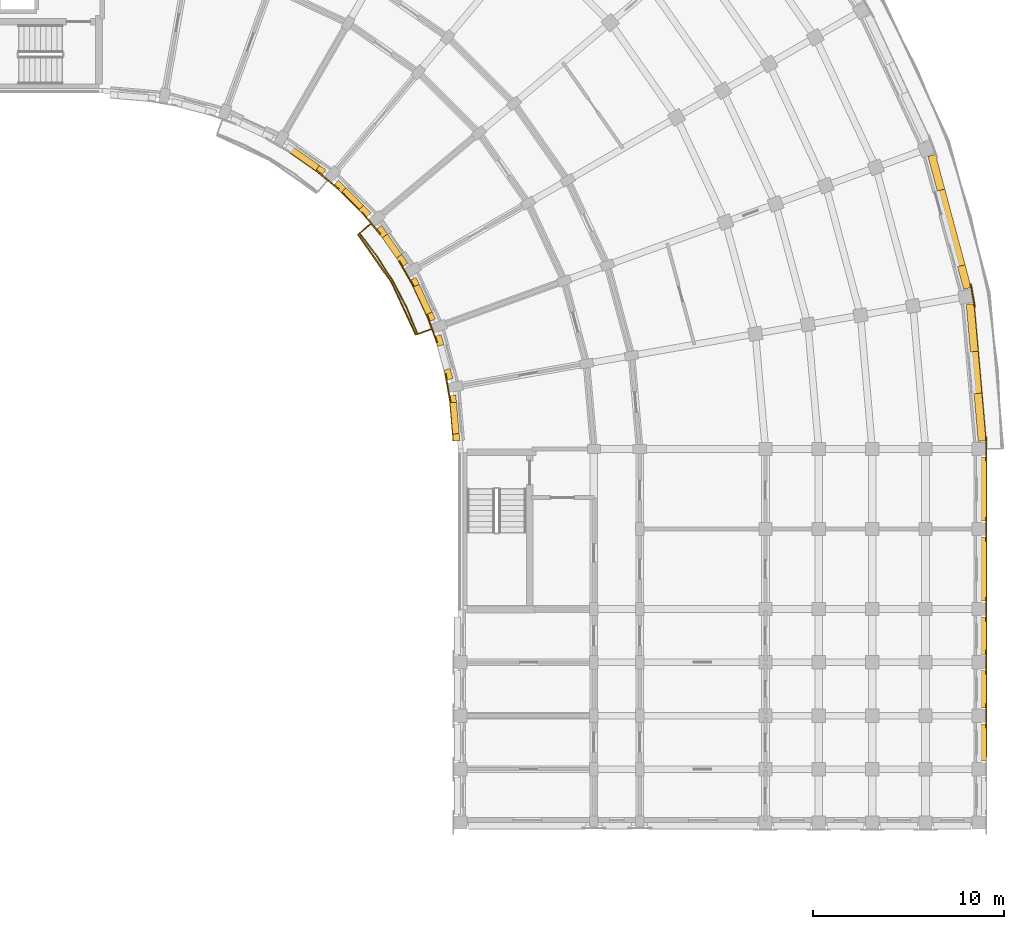
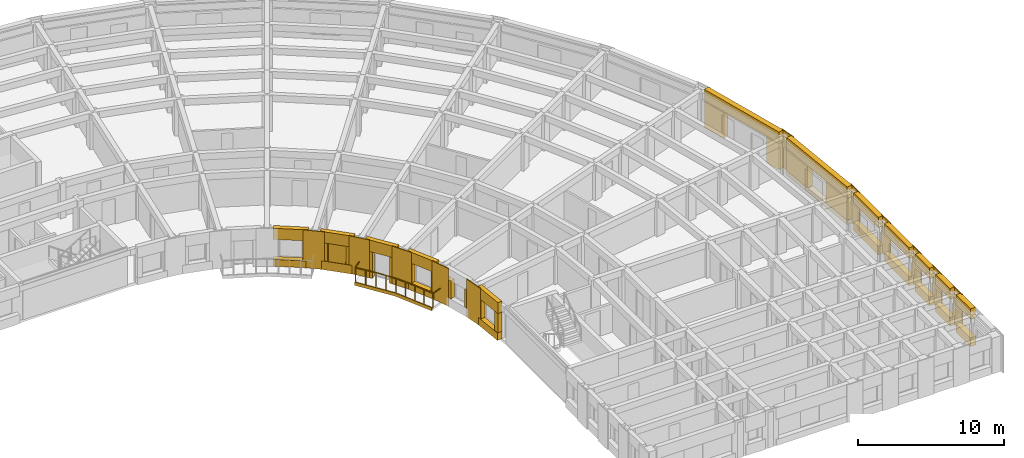
# One storey, part 56 of 57: 49 coverings, 1 railing, 1 shading device.
"""IFC4 building model written with IfcOpenShell, lengths in metres."""

from ifc_helpers import new_model, si_unit, direction, frame, origin, origin_2d, place, context, subcontext, project, spatial, polyline, rectangle, circle, outline, extrude, material, layer, layer_set, type_object, element, save


model = new_model("IFC4")

# Units and contexts
model_context = context("Model", 3, precision=1e-05, world=origin(), true_north=direction((0.0, 1.0)))
body_context = subcontext(model_context, "Body", "Model", "MODEL_VIEW")
ifc_project = project(units=[si_unit("LENGTHUNIT", "METRE"), si_unit("AREAUNIT", "SQUARE_METRE"), si_unit("VOLUMEUNIT", "CUBIC_METRE"), si_unit("PLANEANGLEUNIT", "RADIAN"), si_unit("MASSUNIT", "GRAM", prefix="KILO")], contexts=[model_context])

# Site, building, storey
site_placement = place(None, origin())
site = spatial("IfcSite", under=ifc_project, at=site_placement, CompositionType="ELEMENT")
building_placement = place(site_placement, origin())
building = spatial("IfcBuilding", under=site, at=building_placement, Name="Kiranvali Square Residences", CompositionType="ELEMENT")
storey_placement = place(building_placement, frame((0.0, 0.0, 24.449951171875)))
storey = spatial("IfcBuildingStorey", under=building, at=storey_placement, Name="L07", CompositionType="ELEMENT", Elevation=24.449951171875)

# Coverings
ifc_material_1 = material(Name="Carved Porbandar limestone classical entablature and cornice", Category="masonry")
ifc_layer_1 = layer(ifc_material_1, 0.06201171875)
ifc_layer_set_1 = layer_set([ifc_layer_1], Name="Carved Porbandar limestone classical entablature and cornice")
covering_type_1 = type_object("IfcCoveringType", Name="COV-CLAD-GBAL", PredefinedType="CLADDING", material=ifc_layer_set_1)
covering_1_placement = place(storey_placement, frame((0.0, 0.0, -0.219970703125)))
element("IfcCovering", 1, at=covering_1_placement, inside=storey, type_object=covering_type_1, Name="Block B L07 garden balcony limestone fascia 2", PredefinedType="CLADDING", context=body_context, shape_type="SweptSolid", body=[
    extrude(outline(polyline([(133.1904296875, 99.035888671875), (134.938232421875, 96.5400390625), (136.225830078125, 93.778564453125), (136.289794921875, 93.8017578125), (134.9970703125, 96.573974609375), (133.242431640625, 99.07958984375), (133.1904296875, 99.035888671875)])), origin(), (0.0, 0.0, 1.0), 0.27001953125),
])
ifc_material_2 = material(Name="Honed Porbandar limestone ashlar facade cladding", Category="masonry")
ifc_layer_2 = layer(ifc_material_2, 0.3798828125)
ifc_layer_set_2 = layer_set([ifc_layer_2], Name="Honed Porbandar limestone ashlar facade cladding")
covering_type_2 = type_object("IfcCoveringType", Name="COV-CLAD-JAMB", PredefinedType="CLADDING", material=ifc_layer_set_2)
covering_2_placement = place(storey_placement, origin())
element("IfcCovering", 2, at=covering_2_placement, inside=storey, type_object=covering_type_2, Name="L07 deep limestone window jamb reveal B-L07-CRV-07.L", PredefinedType="CLADDING", context=body_context, shape_type="SweptSolid", body=[
    extrude(outline(polyline([(163.1298828125, 103.146728515625), (163.615478515625, 101.334228515625), (164.010986328125, 101.440185546875), (163.525390625, 103.252685546875), (163.1298828125, 103.146728515625)])), origin(), (0.0, 0.0, 1.0), 2.179931640625),
])
covering_3_placement = place(storey_placement, origin())
element("IfcCovering", 3, at=covering_3_placement, inside=storey, type_object=covering_type_2, Name="L07 deep limestone window jamb reveal B-L07-CRV-07.R", PredefinedType="CLADDING", context=body_context, shape_type="SweptSolid", body=[
    extrude(outline(polyline([(164.6806640625, 97.359375), (164.998046875, 96.17431640625), (165.3935546875, 96.2802734375), (165.076171875, 97.46533203125), (164.6806640625, 97.359375)])), origin(), (0.0, 0.0, 1.0), 2.179931640625),
])
covering_4_placement = place(storey_placement, frame((0.0, 0.0, 0.3720703125)))
element("IfcCovering", 4, at=covering_4_placement, inside=storey, type_object=covering_type_2, Name="L07 deep limestone window jamb reveal B-L07-CRV-08.L", PredefinedType="CLADDING", context=body_context, shape_type="SweptSolid", body=[
    extrude(outline(polyline([(165.136474609375, 95.389404296875), (165.355224609375, 92.8896484375), (165.76318359375, 92.925537109375), (165.54443359375, 95.425048828125), (165.136474609375, 95.389404296875)])), origin(), (0.0, 0.0, 1.0), 1.800048828125),
])
covering_5_placement = place(storey_placement, frame((0.0, 0.0, 0.3720703125)))
element("IfcCovering", 5, at=covering_5_placement, inside=storey, type_object=covering_type_2, Name="L07 deep limestone window jamb reveal B-L07-CRV-08.R", PredefinedType="CLADDING", context=body_context, shape_type="SweptSolid", body=[
    extrude(outline(polyline([(165.546875, 90.6982421875), (165.765625, 88.198486328125), (166.173583984375, 88.234130859375), (165.954833984375, 90.73388671875), (165.546875, 90.6982421875)])), origin(), (0.0, 0.0, 1.0), 1.800048828125),
])
covering_6_placement = place(storey_placement, frame((0.0, 0.0, 0.572021484375)))
element("IfcCovering", 6, at=covering_6_placement, inside=storey, type_object=covering_type_2, Name="L07 deep limestone window jamb reveal B-L07-GDN-03.R", PredefinedType="CLADDING", context=body_context, shape_type="SweptSolid", body=[
    extrude(outline(polyline([(131.00244140625, 102.404052734375), (131.328857421875, 102.175537109375), (131.523681640625, 102.45361328125), (131.197265625, 102.68212890625), (131.00244140625, 102.404052734375)])), origin(), (0.0, 0.0, 1.0), 1.650146484375),
])
covering_7_placement = place(storey_placement, frame((0.0, 0.0, 0.72216796875)))
element("IfcCovering", 7, at=covering_7_placement, inside=storey, type_object=covering_type_2, Name="L07 deep limestone window jamb reveal B-L07-GDN-04.L", PredefinedType="CLADDING", context=body_context, shape_type="SweptSolid", body=[
    extrude(outline(polyline([(131.955078125, 101.650146484375), (132.343017578125, 101.26220703125), (132.5830078125, 101.502197265625), (132.195068359375, 101.89013671875), (131.955078125, 101.650146484375)])), origin(), (0.0, 0.0, 1.0), 1.5),
])
covering_8_placement = place(storey_placement, frame((0.0, 0.0, 0.72216796875)))
element("IfcCovering", 8, at=covering_8_placement, inside=storey, type_object=covering_type_2, Name="L07 deep limestone window jamb reveal B-L07-GDN-04.R", PredefinedType="CLADDING", context=body_context, shape_type="SweptSolid", body=[
    extrude(outline(polyline([(133.26220703125, 100.343017578125), (133.650146484375, 99.955078125), (133.89013671875, 100.195068359375), (133.502197265625, 100.5830078125), (133.26220703125, 100.343017578125)])), origin(), (0.0, 0.0, 1.0), 1.5),
])
covering_9_placement = place(storey_placement, origin())
element("IfcCovering", 9, at=covering_9_placement, inside=storey, type_object=covering_type_2, Name="L07 deep limestone window jamb reveal B-L07-GDN-05.L", PredefinedType="CLADDING", context=body_context, shape_type="SweptSolid", body=[
    extrude(outline(polyline([(134.175537109375, 99.328857421875), (134.490234375, 98.879638671875), (134.768310546875, 99.074462890625), (134.45361328125, 99.523681640625), (134.175537109375, 99.328857421875)])), origin(), (0.0, 0.0, 1.0), 2.179931640625),
])
covering_10_placement = place(storey_placement, origin())
element("IfcCovering", 10, at=covering_10_placement, inside=storey, type_object=covering_type_2, Name="L07 deep limestone window jamb reveal B-L07-GDN-05.R", PredefinedType="CLADDING", context=body_context, shape_type="SweptSolid", body=[
    extrude(outline(polyline([(135.23583984375, 97.814697265625), (135.55029296875, 97.365478515625), (135.828369140625, 97.56005859375), (135.513916015625, 98.009521484375), (135.23583984375, 97.814697265625)])), origin(), (0.0, 0.0, 1.0), 2.179931640625),
])
covering_11_placement = place(storey_placement, frame((0.0, 0.0, 0.572021484375)))
element("IfcCovering", 11, at=covering_11_placement, inside=storey, type_object=covering_type_2, Name="L07 deep limestone window jamb reveal B-L07-GDN-06.L", PredefinedType="CLADDING", context=body_context, shape_type="SweptSolid", body=[
    extrude(outline(polyline([(135.958984375, 96.657470703125), (136.12744140625, 96.29638671875), (136.435302734375, 96.43994140625), (136.266845703125, 96.801025390625), (135.958984375, 96.657470703125)])), origin(), (0.0, 0.0, 1.0), 1.650146484375),
])
covering_12_placement = place(storey_placement, frame((0.0, 0.0, 0.572021484375)))
element("IfcCovering", 12, at=covering_12_placement, inside=storey, type_object=covering_type_2, Name="L07 deep limestone window jamb reveal B-L07-GDN-06.R", PredefinedType="CLADDING", context=body_context, shape_type="SweptSolid", body=[
    extrude(outline(polyline([(136.8037109375, 94.84619140625), (136.97216796875, 94.485107421875), (137.27978515625, 94.62841796875), (137.111328125, 94.98974609375), (136.8037109375, 94.84619140625)])), origin(), (0.0, 0.0, 1.0), 1.650146484375),
])
covering_13_placement = place(storey_placement, frame((0.0, 0.0, 0.72216796875)))
element("IfcCovering", 13, at=covering_13_placement, inside=storey, type_object=covering_type_2, Name="L07 deep limestone window jamb reveal B-L07-GDN-07.L", PredefinedType="CLADDING", context=body_context, shape_type="SweptSolid", body=[
    extrude(outline(polyline([(137.251708984375, 93.717041015625), (137.3935546875, 93.187255859375), (137.7216796875, 93.27490234375), (137.57958984375, 93.804931640625), (137.251708984375, 93.717041015625)])), origin(), (0.0, 0.0, 1.0), 1.5),
])
covering_14_placement = place(storey_placement, frame((0.0, 0.0, 0.72216796875)))
element("IfcCovering", 14, at=covering_14_placement, inside=storey, type_object=covering_type_2, Name="L07 deep limestone window jamb reveal B-L07-GDN-07.R", PredefinedType="CLADDING", context=body_context, shape_type="SweptSolid", body=[
    extrude(outline(polyline([(137.730224609375, 91.931396484375), (137.8720703125, 91.401611328125), (138.199951171875, 91.489501953125), (138.05810546875, 92.019287109375), (137.730224609375, 91.931396484375)])), origin(), (0.0, 0.0, 1.0), 1.5),
])
covering_15_placement = place(storey_placement, frame((0.0, 0.0, 0.6220703125)))
element("IfcCovering", 15, at=covering_15_placement, inside=storey, type_object=covering_type_2, Name="L07 deep limestone window jamb reveal B-L07-GDN-08.L", PredefinedType="CLADDING", context=body_context, shape_type="SweptSolid", body=[
    extrude(outline(polyline([(138.013916015625, 90.5966796875), (138.046630859375, 90.224609375), (138.384765625, 90.254150390625), (138.352294921875, 90.626220703125), (138.013916015625, 90.5966796875)])), origin(), (0.0, 0.0, 1.0), 1.60009765625),
])
covering_16_placement = place(storey_placement, frame((0.0, 0.0, 0.6220703125)))
element("IfcCovering", 16, at=covering_16_placement, inside=storey, type_object=covering_type_2, Name="L07 deep limestone window jamb reveal B-L07-GDN-08.R", PredefinedType="CLADDING", context=body_context, shape_type="SweptSolid", body=[
    extrude(outline(polyline([(138.1904296875, 88.580810546875), (138.222900390625, 88.208740234375), (138.56103515625, 88.23828125), (138.528564453125, 88.6103515625), (138.1904296875, 88.580810546875)])), origin(), (0.0, 0.0, 1.0), 1.60009765625),
])
ifc_layer_3 = layer(ifc_material_2, 0.06494140625)
ifc_layer_set_3 = layer_set([ifc_layer_3], Name="Honed Porbandar limestone ashlar facade cladding")
covering_type_3 = type_object("IfcCoveringType", Name="COV-CLAD-PIER", PredefinedType="CLADDING", material=ifc_layer_set_3)
covering_17_placement = place(storey_placement, frame((0.0, 0.0, 0.005126953125)))
element("IfcCovering", 17, at=covering_17_placement, inside=storey, type_object=covering_type_3, Name="L07 Classical limestone corner pilaster CLAD-PR-B-L07-A08", PredefinedType="CLADDING", context=body_context, shape_type="SweptSolid", body=[
    extrude(outline(polyline([(165.622314453125, 95.239990234375), (165.4033203125, 96.480712890625), (165.3369140625, 96.468994140625), (165.5556640625, 95.228271484375), (165.622314453125, 95.239990234375)])), origin(), (0.0, 0.0, 1.0), 3.139892578125),
])
covering_18_placement = place(storey_placement, frame((0.0, 0.0, 0.005126953125)))
element("IfcCovering", 18, at=covering_18_placement, inside=storey, type_object=covering_type_3, Name="L07 Classical limestone corner pilaster CLAD-PR-B-L07-A09", PredefinedType="CLADDING", context=body_context, shape_type="SweptSolid", body=[
    extrude(outline(polyline([(166.218017578125, 87.169921875), (166.218017578125, 88.429931640625), (166.150390625, 88.429931640625), (166.150390625, 87.169921875), (166.218017578125, 87.169921875)])), origin(), (0.0, 0.0, 1.0), 3.139892578125),
])
covering_19_placement = place(storey_placement, frame((0.0, 0.0, 0.005126953125)))
element("IfcCovering", 19, at=covering_19_placement, inside=storey, type_object=covering_type_3, Name="L07 Classical limestone pilaster casing CLAD-PR-B-L07-V42", PredefinedType="CLADDING", context=body_context, shape_type="SweptSolid", body=[
    extrude(outline(polyline([(166.150390625, 84.22998046875), (166.150390625, 82.969970703125), (166.218017578125, 82.969970703125), (166.218017578125, 84.22998046875), (166.150390625, 84.22998046875)])), origin(), (0.0, 0.0, 1.0), 3.139892578125),
])
covering_20_placement = place(storey_placement, frame((0.0, 0.0, 0.005126953125)))
element("IfcCovering", 20, at=covering_20_placement, inside=storey, type_object=covering_type_3, Name="L07 Classical limestone pilaster casing CLAD-PR-B-L07-V84", PredefinedType="CLADDING", context=body_context, shape_type="SweptSolid", body=[
    extrude(outline(polyline([(166.150390625, 80.030029296875), (166.150390625, 78.77001953125), (166.218017578125, 78.77001953125), (166.218017578125, 80.030029296875), (166.150390625, 80.030029296875)])), origin(), (0.0, 0.0, 1.0), 3.139892578125),
])
covering_21_placement = place(storey_placement, frame((0.0, 0.0, 0.005126953125)))
element("IfcCovering", 21, at=covering_21_placement, inside=storey, type_object=covering_type_3, Name="L07 Classical limestone pilaster casing CLAD-PR-B-L07-V112", PredefinedType="CLADDING", context=body_context, shape_type="SweptSolid", body=[
    extrude(outline(polyline([(166.150390625, 77.22998046875), (166.150390625, 75.969970703125), (166.218017578125, 75.969970703125), (166.218017578125, 77.22998046875), (166.150390625, 77.22998046875)])), origin(), (0.0, 0.0, 1.0), 3.139892578125),
])
covering_22_placement = place(storey_placement, frame((0.0, 0.0, 0.005126953125)))
element("IfcCovering", 22, at=covering_22_placement, inside=storey, type_object=covering_type_3, Name="L07 Classical limestone pilaster casing CLAD-PR-B-L07-V140", PredefinedType="CLADDING", context=body_context, shape_type="SweptSolid", body=[
    extrude(outline(polyline([(166.150390625, 74.429931640625), (166.150390625, 73.169921875), (166.218017578125, 73.169921875), (166.218017578125, 74.429931640625), (166.150390625, 74.429931640625)])), origin(), (0.0, 0.0, 1.0), 3.139892578125),
])
ifc_layer_4 = layer(ifc_material_2, 0.050048828125)
ifc_layer_set_4 = layer_set([ifc_layer_4], Name="Honed Porbandar limestone ashlar facade cladding")
covering_type_4 = type_object("IfcCoveringType", Name="COV-CLAD-PIER-IN", PredefinedType="CLADDING", material=ifc_layer_set_4)
covering_23_placement = place(storey_placement, frame((0.0, 0.0, 0.005126953125)))
element("IfcCovering", 23, at=covering_23_placement, inside=storey, type_object=covering_type_4, Name="L07 Classical garden courtyard pilaster CLAD-PRIN-B-L07-A04", PredefinedType="CLADDING", context=body_context, shape_type="SweptSolid", body=[
    extrude(outline(polyline([(131.041259765625, 102.363525390625), (132.190185546875, 101.3994140625), (132.233642578125, 101.451171875), (131.08447265625, 102.415283203125), (131.041259765625, 102.363525390625)])), origin(), (0.0, 0.0, 1.0), 3.139892578125),
])
covering_24_placement = place(storey_placement, frame((0.0, 0.0, 0.005126953125)))
element("IfcCovering", 24, at=covering_24_placement, inside=storey, type_object=covering_type_4, Name="L07 Classical garden courtyard pilaster CLAD-PRIN-B-L07-A05", PredefinedType="CLADDING", context=body_context, shape_type="SweptSolid", body=[
    extrude(outline(polyline([(133.3994140625, 100.190185546875), (134.363525390625, 99.041259765625), (134.415283203125, 99.08447265625), (133.451171875, 100.233642578125), (133.3994140625, 100.190185546875)])), origin(), (0.0, 0.0, 1.0), 3.139892578125),
])
covering_25_placement = place(storey_placement, frame((0.0, 0.0, 0.005126953125)))
element("IfcCovering", 25, at=covering_25_placement, inside=storey, type_object=covering_type_4, Name="L07 Classical garden courtyard pilaster CLAD-PRIN-B-L07-A06", PredefinedType="CLADDING", context=body_context, shape_type="SweptSolid", body=[
    extrude(outline(polyline([(135.34423828125, 97.640625), (136.09423828125, 96.341552734375), (136.15283203125, 96.375244140625), (135.40283203125, 97.67431640625), (135.34423828125, 97.640625)])), origin(), (0.0, 0.0, 1.0), 3.139892578125),
])
covering_26_placement = place(storey_placement, frame((0.0, 0.0, 0.005126953125)))
element("IfcCovering", 26, at=covering_26_placement, inside=storey, type_object=covering_type_4, Name="L07 Classical garden courtyard pilaster CLAD-PRIN-B-L07-A07", PredefinedType="CLADDING", context=body_context, shape_type="SweptSolid", body=[
    extrude(outline(polyline([(136.81689453125, 94.791748046875), (137.329833984375, 93.38232421875), (137.393310546875, 93.4052734375), (136.88037109375, 94.81494140625), (136.81689453125, 94.791748046875)])), origin(), (0.0, 0.0, 1.0), 3.139892578125),
])
covering_27_placement = place(storey_placement, frame((0.0, 0.0, 0.005126953125)))
element("IfcCovering", 27, at=covering_27_placement, inside=storey, type_object=covering_type_4, Name="L07 Classical garden courtyard pilaster CLAD-PRIN-B-L07-A08", PredefinedType="CLADDING", context=body_context, shape_type="SweptSolid", body=[
    extrude(outline(polyline([(137.7724609375, 91.730712890625), (138.032958984375, 90.25341796875), (138.099365234375, 90.26513671875), (137.8388671875, 91.742431640625), (137.7724609375, 91.730712890625)])), origin(), (0.0, 0.0, 1.0), 3.139892578125),
])
ifc_layer_5 = layer(ifc_material_2, 0.360107421875)
ifc_layer_set_5 = layer_set([ifc_layer_5], Name="Honed Porbandar limestone ashlar facade cladding")
covering_type_5 = type_object("IfcCoveringType", Name="COV-CLAD-WALL", PredefinedType="CLADDING", material=ifc_layer_set_5)
covering_28_placement = place(storey_placement, frame((0.0, 0.0, 2.179931640625)))
element("IfcCovering", 28, at=covering_28_placement, inside=storey, type_object=covering_type_5, Name="L07 light limestone spandrel lintel B-L07-CRV-07", PredefinedType="CLADDING", context=body_context, shape_type="SweptSolid", body=[
    extrude(outline(polyline([(163.1298828125, 103.146728515625), (164.998046875, 96.17431640625), (165.3935546875, 96.2802734375), (163.525390625, 103.252685546875), (163.1298828125, 103.146728515625)])), origin(), (0.0, 0.0, 1.0), 0.965087890625),
])
covering_29_placement = place(storey_placement, frame((0.0, 0.0, 2.172119140625)))
element("IfcCovering", 29, at=covering_29_placement, inside=storey, type_object=covering_type_5, Name="L07 light limestone spandrel lintel B-L07-CRV-08", PredefinedType="CLADDING", context=body_context, shape_type="SweptSolid", body=[
    extrude(outline(polyline([(165.136474609375, 95.389404296875), (165.765625, 88.198486328125), (166.173583984375, 88.234130859375), (165.54443359375, 95.425048828125), (165.136474609375, 95.389404296875)])), origin(), (0.0, 0.0, 1.0), 0.972900390625),
])
covering_30_placement = place(storey_placement, frame((0.0, 0.0, 0.005126953125)))
element("IfcCovering", 30, at=covering_30_placement, inside=storey, type_object=covering_type_5, Name="L07 limestone window sill apron B-L07-CRV-08", PredefinedType="CLADDING", context=body_context, shape_type="SweptSolid", body=[
    extrude(outline(polyline([(165.136474609375, 95.389404296875), (165.765625, 88.198486328125), (166.203369140625, 88.23681640625), (165.57421875, 95.427734375), (165.136474609375, 95.389404296875)])), origin(), (0.0, 0.0, 1.0), 0.366943359375),
])
covering_31_placement = place(storey_placement, frame((0.0, 0.0, 2.22216796875)))
element("IfcCovering", 31, at=covering_31_placement, inside=storey, type_object=covering_type_5, Name="L07 light limestone spandrel lintel B-L07-GDN-03", PredefinedType="CLADDING", context=body_context, shape_type="SweptSolid", body=[
    extrude(outline(polyline([(129.365478515625, 103.55029296875), (131.328857421875, 102.175537109375), (131.523681640625, 102.45361328125), (129.56005859375, 103.828369140625), (129.365478515625, 103.55029296875)])), origin(), (0.0, 0.0, 1.0), 0.9228515625),
])
covering_32_placement = place(storey_placement, frame((0.0, 0.0, 2.22216796875)))
element("IfcCovering", 32, at=covering_32_placement, inside=storey, type_object=covering_type_5, Name="L07 light limestone spandrel lintel B-L07-GDN-04", PredefinedType="CLADDING", context=body_context, shape_type="SweptSolid", body=[
    extrude(outline(polyline([(131.955078125, 101.650146484375), (133.650146484375, 99.955078125), (133.89013671875, 100.195068359375), (132.195068359375, 101.89013671875), (131.955078125, 101.650146484375)])), origin(), (0.0, 0.0, 1.0), 0.9228515625),
])
covering_33_placement = place(storey_placement, frame((0.0, 0.0, 2.179931640625)))
element("IfcCovering", 33, at=covering_33_placement, inside=storey, type_object=covering_type_5, Name="L07 light limestone spandrel lintel B-L07-GDN-05", PredefinedType="CLADDING", context=body_context, shape_type="SweptSolid", body=[
    extrude(outline(polyline([(134.175537109375, 99.328857421875), (135.55029296875, 97.365478515625), (135.828369140625, 97.56005859375), (134.45361328125, 99.523681640625), (134.175537109375, 99.328857421875)])), origin(), (0.0, 0.0, 1.0), 0.965087890625),
])
covering_34_placement = place(storey_placement, frame((0.0, 0.0, 2.22216796875)))
element("IfcCovering", 34, at=covering_34_placement, inside=storey, type_object=covering_type_5, Name="L07 light limestone spandrel lintel B-L07-GDN-06", PredefinedType="CLADDING", context=body_context, shape_type="SweptSolid", body=[
    extrude(outline(polyline([(135.958984375, 96.657470703125), (136.97216796875, 94.485107421875), (137.27978515625, 94.62841796875), (136.266845703125, 96.801025390625), (135.958984375, 96.657470703125)])), origin(), (0.0, 0.0, 1.0), 0.9228515625),
])
covering_35_placement = place(storey_placement, frame((0.0, 0.0, 2.22216796875)))
element("IfcCovering", 35, at=covering_35_placement, inside=storey, type_object=covering_type_5, Name="L07 light limestone spandrel lintel B-L07-GDN-08", PredefinedType="CLADDING", context=body_context, shape_type="SweptSolid", body=[
    extrude(outline(polyline([(138.013916015625, 90.5966796875), (138.222900390625, 88.208740234375), (138.56103515625, 88.23828125), (138.352294921875, 90.626220703125), (138.013916015625, 90.5966796875)])), origin(), (0.0, 0.0, 1.0), 0.9228515625),
])
covering_36_placement = place(storey_placement, frame((0.0, 0.0, 2.27197265625)))
element("IfcCovering", 36, at=covering_36_placement, inside=storey, type_object=covering_type_5, Name="L07 light limestone spandrel lintel B-L07-A2O-0", PredefinedType="CLADDING", context=body_context, shape_type="SweptSolid", body=[
    extrude(outline(polyline([(165.800537109375, 87.3798828125), (165.800537109375, 84.02001953125), (166.199951171875, 84.02001953125), (166.199951171875, 87.3798828125), (165.800537109375, 87.3798828125)])), origin(), (0.0, 0.0, 1.0), 0.873046875),
])
covering_37_placement = place(storey_placement, frame((0.0, 0.0, 0.005126953125)))
element("IfcCovering", 37, at=covering_37_placement, inside=storey, type_object=covering_type_5, Name="L07 limestone window sill apron B-L07-A2O-0", PredefinedType="CLADDING", context=body_context, shape_type="SweptSolid", body=[
    extrude(outline(polyline([(165.800537109375, 87.3798828125), (165.800537109375, 84.02001953125), (166.22998046875, 84.02001953125), (166.22998046875, 87.3798828125), (165.800537109375, 87.3798828125)])), origin(), (0.0, 0.0, 1.0), 0.717041015625),
])
covering_38_placement = place(storey_placement, frame((0.0, 0.0, 2.27197265625)))
element("IfcCovering", 38, at=covering_38_placement, inside=storey, type_object=covering_type_5, Name="L07 light limestone spandrel lintel B-L07-A2O-1", PredefinedType="CLADDING", context=body_context, shape_type="SweptSolid", body=[
    extrude(outline(polyline([(165.800537109375, 83.179931640625), (165.800537109375, 79.820068359375), (166.199951171875, 79.820068359375), (166.199951171875, 83.179931640625), (165.800537109375, 83.179931640625)])), origin(), (0.0, 0.0, 1.0), 0.873046875),
])
covering_39_placement = place(storey_placement, frame((0.0, 0.0, 0.005126953125)))
element("IfcCovering", 39, at=covering_39_placement, inside=storey, type_object=covering_type_5, Name="L07 limestone window sill apron B-L07-A2O-1", PredefinedType="CLADDING", context=body_context, shape_type="SweptSolid", body=[
    extrude(outline(polyline([(165.800537109375, 83.179931640625), (165.800537109375, 79.820068359375), (166.22998046875, 79.820068359375), (166.22998046875, 83.179931640625), (165.800537109375, 83.179931640625)])), origin(), (0.0, 0.0, 1.0), 0.717041015625),
])
covering_40_placement = place(storey_placement, frame((0.0, 0.0, 2.27197265625)))
element("IfcCovering", 40, at=covering_40_placement, inside=storey, type_object=covering_type_5, Name="L07 light limestone spandrel lintel B-L07-A2O-2", PredefinedType="CLADDING", context=body_context, shape_type="SweptSolid", body=[
    extrude(outline(polyline([(165.800537109375, 78.97998046875), (165.800537109375, 77.02001953125), (166.199951171875, 77.02001953125), (166.199951171875, 78.97998046875), (165.800537109375, 78.97998046875)])), origin(), (0.0, 0.0, 1.0), 0.873046875),
])
covering_41_placement = place(storey_placement, frame((0.0, 0.0, 0.005126953125)))
element("IfcCovering", 41, at=covering_41_placement, inside=storey, type_object=covering_type_5, Name="L07 limestone window sill apron B-L07-A2O-2", PredefinedType="CLADDING", context=body_context, shape_type="SweptSolid", body=[
    extrude(outline(polyline([(165.800537109375, 78.97998046875), (165.800537109375, 77.02001953125), (166.22998046875, 77.02001953125), (166.22998046875, 78.97998046875), (165.800537109375, 78.97998046875)])), origin(), (0.0, 0.0, 1.0), 0.717041015625),
])
covering_42_placement = place(storey_placement, frame((0.0, 0.0, 2.27197265625)))
element("IfcCovering", 42, at=covering_42_placement, inside=storey, type_object=covering_type_5, Name="L07 light limestone spandrel lintel B-L07-A2O-3", PredefinedType="CLADDING", context=body_context, shape_type="SweptSolid", body=[
    extrude(outline(polyline([(165.800537109375, 76.179931640625), (165.800537109375, 74.219970703125), (166.199951171875, 74.219970703125), (166.199951171875, 76.179931640625), (165.800537109375, 76.179931640625)])), origin(), (0.0, 0.0, 1.0), 0.873046875),
])
covering_43_placement = place(storey_placement, frame((0.0, 0.0, 0.005126953125)))
element("IfcCovering", 43, at=covering_43_placement, inside=storey, type_object=covering_type_5, Name="L07 limestone window sill apron B-L07-A2O-3", PredefinedType="CLADDING", context=body_context, shape_type="SweptSolid", body=[
    extrude(outline(polyline([(165.800537109375, 76.179931640625), (165.800537109375, 74.219970703125), (166.22998046875, 74.219970703125), (166.22998046875, 76.179931640625), (165.800537109375, 76.179931640625)])), origin(), (0.0, 0.0, 1.0), 0.717041015625),
])
covering_44_placement = place(storey_placement, frame((0.0, 0.0, 2.27197265625)))
element("IfcCovering", 44, at=covering_44_placement, inside=storey, type_object=covering_type_5, Name="L07 light limestone spandrel lintel B-L07-A2O-4", PredefinedType="CLADDING", context=body_context, shape_type="SweptSolid", body=[
    extrude(outline(polyline([(165.800537109375, 73.3798828125), (165.800537109375, 71.419921875), (166.199951171875, 71.419921875), (166.199951171875, 73.3798828125), (165.800537109375, 73.3798828125)])), origin(), (0.0, 0.0, 1.0), 0.873046875),
])
covering_45_placement = place(storey_placement, frame((0.0, 0.0, 0.005126953125)))
element("IfcCovering", 45, at=covering_45_placement, inside=storey, type_object=covering_type_5, Name="L07 limestone window sill apron B-L07-A2O-4", PredefinedType="CLADDING", context=body_context, shape_type="SweptSolid", body=[
    extrude(outline(polyline([(165.800537109375, 73.3798828125), (165.800537109375, 71.419921875), (166.22998046875, 71.419921875), (166.22998046875, 73.3798828125), (165.800537109375, 73.3798828125)])), origin(), (0.0, 0.0, 1.0), 0.717041015625),
])
ifc_layer_6 = layer(ifc_material_2, 0.2900390625)
ifc_layer_set_6 = layer_set([ifc_layer_6], Name="Honed Porbandar limestone ashlar facade cladding")
covering_type_6 = type_object("IfcCoveringType", Name="COV-CLAD-WALL-IN", PredefinedType="CLADDING", material=ifc_layer_set_6)
covering_46_placement = place(storey_placement, frame((0.0, 0.0, 0.005126953125)))
element("IfcCovering", 46, at=covering_46_placement, inside=storey, type_object=covering_type_6, Name="L07 limestone window sill apron B-L07-GDN-03", PredefinedType="CLADDING", context=body_context, shape_type="SweptSolid", body=[
    extrude(outline(polyline([(129.34814453125, 103.52587890625), (131.311767578125, 102.15087890625), (131.523681640625, 102.45361328125), (129.56005859375, 103.828369140625), (129.34814453125, 103.52587890625)])), origin(), (0.0, 0.0, 1.0), 0.56689453125),
])
covering_47_placement = place(storey_placement, frame((0.0, 0.0, 0.005126953125)))
element("IfcCovering", 47, at=covering_47_placement, inside=storey, type_object=covering_type_6, Name="L07 limestone window sill apron B-L07-GDN-04", PredefinedType="CLADDING", context=body_context, shape_type="SweptSolid", body=[
    extrude(outline(polyline([(131.933837890625, 101.62890625), (133.62890625, 99.933837890625), (133.89013671875, 100.195068359375), (132.195068359375, 101.89013671875), (131.933837890625, 101.62890625)])), origin(), (0.0, 0.0, 1.0), 0.717041015625),
])
covering_48_placement = place(storey_placement, frame((0.0, 0.0, 0.005126953125)))
element("IfcCovering", 48, at=covering_48_placement, inside=storey, type_object=covering_type_6, Name="L07 limestone window sill apron B-L07-GDN-06", PredefinedType="CLADDING", context=body_context, shape_type="SweptSolid", body=[
    extrude(outline(polyline([(135.931884765625, 96.644775390625), (136.94482421875, 94.472412109375), (137.27978515625, 94.62841796875), (136.266845703125, 96.801025390625), (135.931884765625, 96.644775390625)])), origin(), (0.0, 0.0, 1.0), 0.56689453125),
])
covering_49_placement = place(storey_placement, frame((0.0, 0.0, 0.005126953125)))
element("IfcCovering", 49, at=covering_49_placement, inside=storey, type_object=covering_type_6, Name="L07 limestone window sill apron B-L07-GDN-08", PredefinedType="CLADDING", context=body_context, shape_type="SweptSolid", body=[
    extrude(outline(polyline([(137.984130859375, 90.593994140625), (138.193115234375, 88.2060546875), (138.56103515625, 88.23828125), (138.352294921875, 90.626220703125), (137.984130859375, 90.593994140625)])), origin(), (0.0, 0.0, 1.0), 0.616943359375),
])

# Railing
ifc_material_3 = material(Name="Powder-coated architectural bronze balustrade", Category="steel")
railing_type = type_object("IfcRailingType", Name="RL-BAL-GOLD-1200", PredefinedType="BALUSTRADE", material=ifc_material_3)
railing_placement = place(storey_placement, frame((134.1708984375, 99.858642578125, 0.0)))
element("IfcRailing", 50, at=railing_placement, inside=storey, type_object=railing_type, Name="Block B L07 garden balcony gold balustrade 2", PredefinedType="BALUSTRADE", context=body_context, shape_type="SweptSolid", body=[
    extrude(circle(Radius=0.02392578125, at=origin_2d()), frame((0.0, 0.0, 1.17578125), z_axis=(-0.765989188314, -0.642853454051, 0.0), x_axis=(0.642853454051, -0.765989188314, 0.0)), (0.0, 0.0, 1.0), 1.14990234375),
    extrude(circle(Radius=0.02392578125, at=origin_2d()), frame((-0.880859375, -0.7392578125, 1.17578125), z_axis=(0.608811807471, -0.793314680996, 0.0), x_axis=(0.793314680996, 0.608811807471, 0.0)), (0.0, 0.0, 1.0), 1.536376953125),
    extrude(circle(Radius=0.02392578125, at=origin_2d()), frame((0.054443359375, -1.9580078125, 1.17578125), z_axis=(0.537307309343, -0.843386539688, 0.0), x_axis=(0.843386539688, 0.537307309343, 0.0)), (0.0, 0.0, 1.0), 1.5361328125),
    extrude(circle(Radius=0.02392578125, at=origin_2d()), frame((0.8798828125, -3.253662109375, 1.17578125), z_axis=(0.461713009976, -0.887029366154, 0.0), x_axis=(0.887029366154, 0.461713009976, 0.0)), (0.0, 0.0, 1.0), 1.5361328125),
    extrude(circle(Radius=0.02392578125, at=origin_2d()), frame((1.589111328125, -4.6162109375, 1.17578125), z_axis=(0.382651197843, -0.923892883829, 0.0), x_axis=(0.923892883829, 0.382651197843, 0.0)), (0.0, 0.0, 1.0), 1.536376953125),
    extrude(circle(Radius=0.02392578125, at=origin_2d()), frame((2.177001953125, -6.03564453125, 1.17578125), z_axis=(0.939712828289, 0.341964618562, 0.0), x_axis=(-0.341964618562, 0.939712828289, 0.0)), (0.0, 0.0, 1.0), 1.150146484375),
    extrude(circle(Radius=0.02099609375, at=origin_2d()), origin(), (0.0, 0.0, 1.0), 1.15185546875),
    extrude(circle(Radius=0.02099609375, at=origin_2d()), frame((-0.880859375, -0.7392578125, 0.0)), (0.0, 0.0, 1.0), 1.15185546875),
    extrude(circle(Radius=0.02099609375, at=origin_2d()), frame((-0.4130859375, -1.3486328125, 0.0)), (0.0, 0.0, 1.0), 1.15185546875),
    extrude(circle(Radius=0.02099609375, at=origin_2d()), frame((0.054443359375, -1.9580078125, 0.0)), (0.0, 0.0, 1.0), 1.15185546875),
    extrude(circle(Radius=0.02099609375, at=origin_2d()), frame((0.46728515625, -2.60595703125, 0.0)), (0.0, 0.0, 1.0), 1.15185546875),
    extrude(circle(Radius=0.02099609375, at=origin_2d()), frame((0.8798828125, -3.253662109375, 0.0)), (0.0, 0.0, 1.0), 1.15185546875),
    extrude(circle(Radius=0.02099609375, at=origin_2d()), frame((1.234375, -3.93505859375, 0.0)), (0.0, 0.0, 1.0), 1.15185546875),
    extrude(circle(Radius=0.02099609375, at=origin_2d()), frame((1.589111328125, -4.6162109375, 0.0)), (0.0, 0.0, 1.0), 1.15185546875),
    extrude(circle(Radius=0.02099609375, at=origin_2d()), frame((1.883056640625, -5.325927734375, 0.0)), (0.0, 0.0, 1.0), 1.15185546875),
    extrude(circle(Radius=0.02099609375, at=origin_2d()), frame((2.177001953125, -6.03564453125, 0.0)), (0.0, 0.0, 1.0), 1.15185546875),
    extrude(circle(Radius=0.02099609375, at=origin_2d()), frame((3.2578125, -5.642333984375, 0.0)), (0.0, 0.0, 1.0), 1.15185546875),
])

# Shading device
ifc_material_4 = material(Name="Pierced buff sandstone architectural mashrabiya solar screen", Category="masonry")
shading_device_type = type_object("IfcShadingDeviceType", Name="SHD-JALI-1600", PredefinedType="JALOUSIE", material=ifc_material_4)
shading_device_placement = place(storey_placement, frame((132.816650390625, 100.816650390625, 0.72216796875), z_axis=(0.0, 0.0, 1.0), x_axis=(0.707106781187, -0.707106781187, 0.0)))
element("IfcShadingDevice", 51, at=shading_device_placement, inside=storey, type_object=shading_device_type, Name="L07 carved stone Mashrabiya screen B-L07-GDN-04", PredefinedType="JALOUSIE", context=body_context, shape_type="SweptSolid", body=[
    extrude(rectangle(XDim=1.199951171875, YDim=0.044921875, at=origin_2d()), origin(), (0.0, 0.0, 1.0), 1.5),
])

save(model, "model.ifc")
